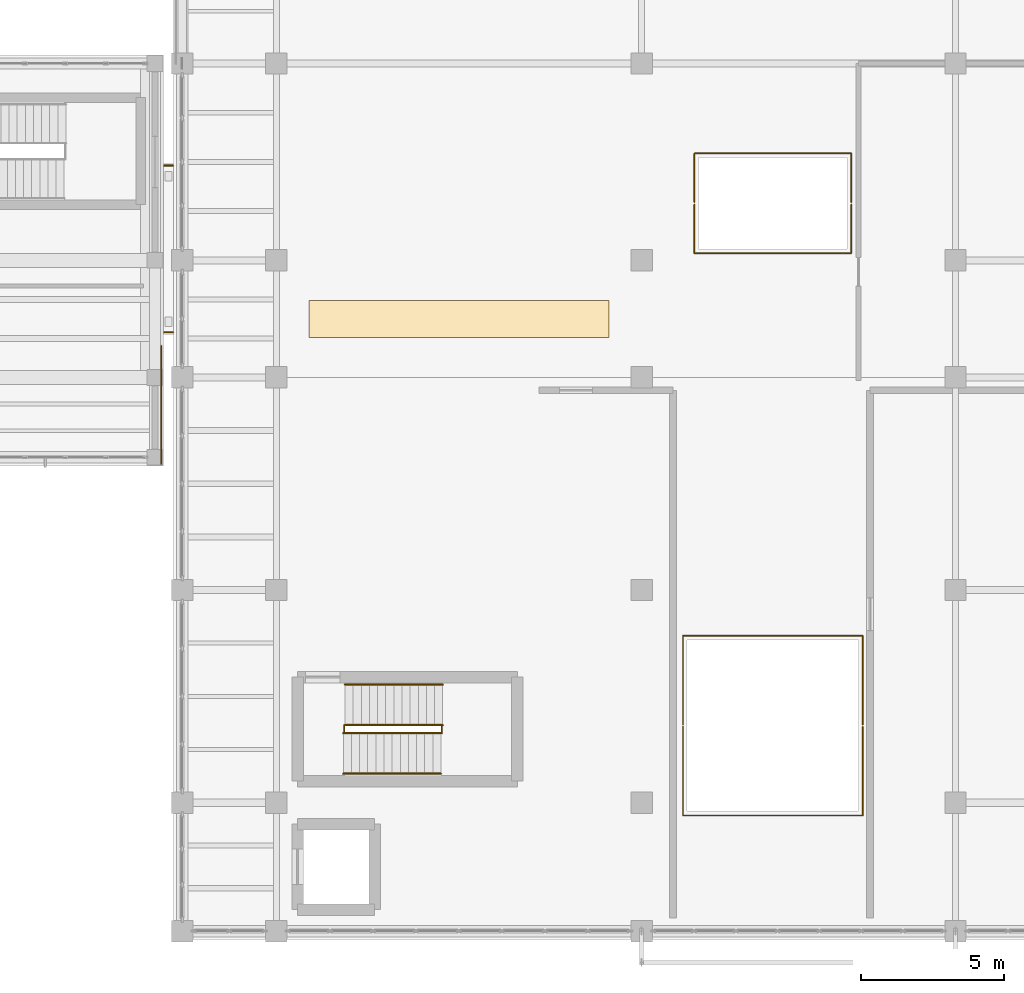
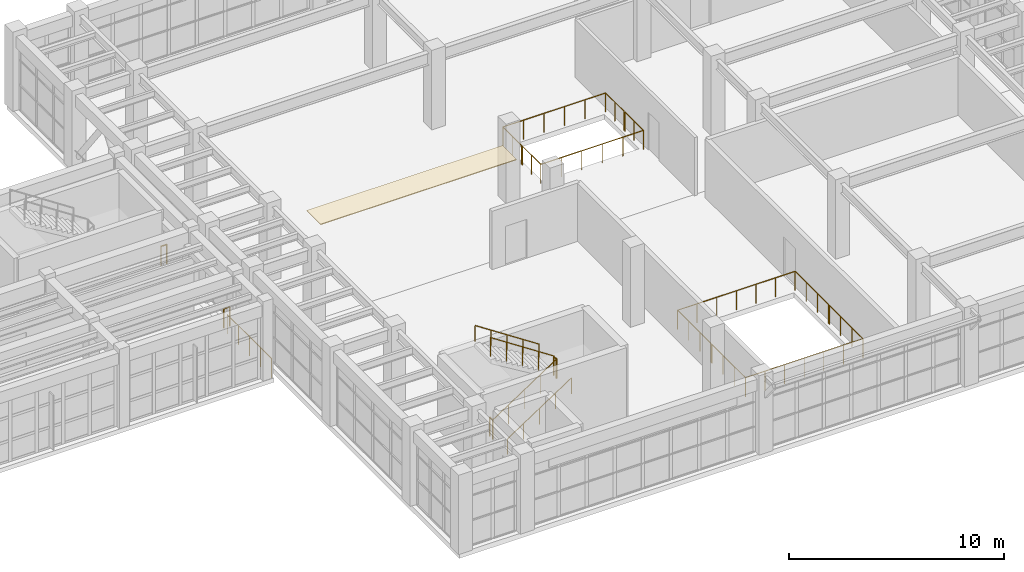
# One storey, part 80 of 85: 13 railings, 1 covering.
"""IFC4 building model written with IfcOpenShell, lengths in metres."""

from ifc_helpers import new_model, si_unit, direction, frame, origin, origin_2d, place, context, subcontext, project, spatial, rectangle, circle, extrude, material, layer, layer_set, type_object, element, save


model = new_model("IFC4")

# Units and contexts
model_context = context("Model", 3, precision=1e-05, world=origin(), true_north=direction((0.0, 1.0)))
body_context = subcontext(model_context, "Body", "Model", "MODEL_VIEW")
ifc_project = project(units=[si_unit("LENGTHUNIT", "METRE"), si_unit("AREAUNIT", "SQUARE_METRE"), si_unit("VOLUMEUNIT", "CUBIC_METRE"), si_unit("PLANEANGLEUNIT", "RADIAN"), si_unit("MASSUNIT", "GRAM", prefix="KILO")], contexts=[model_context])

# Site, building, storey
site_placement = place(None, origin())
site = spatial("IfcSite", under=ifc_project, at=site_placement, CompositionType="ELEMENT")
building_placement = place(site_placement, origin())
building = spatial("IfcBuilding", under=site, at=building_placement, Name="Candilejo Ridge Gondola Terminal", CompositionType="ELEMENT")
storey_placement = place(building_placement, frame((0.0, 0.0, 4.5)))
storey = spatial("IfcBuildingStorey", under=building, at=storey_placement, Name="L01", CompositionType="ELEMENT", Elevation=4.5)

# Covering
ifc_material_1 = material(Name="Perforated acoustic aluminium linear plank ceiling", Category="aluminium")
ifc_layer = layer(ifc_material_1, 0.044921875)
ifc_layer_set = layer_set([ifc_layer], Name="ARC-COV-CEILING-AC")
covering_type = type_object("IfcCoveringType", Name="ARC-COV-CEILING-AC", PredefinedType="CEILING", material=ifc_layer_set)
covering_placement = place(storey_placement, frame((143.60009765625, 27.75, 4.155517578125), z_axis=(0.0, 0.0, 1.0), x_axis=(1.0, 0.0, 0.0)))
element("IfcCovering", 1, at=covering_placement, inside=storey, type_object=covering_type, Name="Acoustic ceiling CL-V4-L01-A", PredefinedType="CEILING", context=body_context, shape_type="SweptSolid", body=[
    extrude(rectangle(XDim=10.5, YDim=1.300048828125, at=origin_2d()), origin(), (0.0, 0.0, 1.0), 0.044921875),
])

# Railings
ifc_material_2 = material(Name="Hot-dip galvanised steel ASTM A500 Grade B", Category="steel")
railing_type_1 = type_object("IfcRailingType", Name="ARC-GUARD-BALUSTRADE-1150", PredefinedType="BALUSTRADE", material=ifc_material_2)
railing_1_placement = place(storey_placement, frame((151.449951171875, 13.4599609375, 0.0)))
element("IfcRailing", 2, at=railing_1_placement, inside=storey, type_object=railing_type_1, Name="Well balustrade GR-V4-L01-PIT1-S", PredefinedType="BALUSTRADE", context=body_context, shape_type="SweptSolid", body=[
    extrude(circle(Radius=0.02392578125, at=origin_2d()), frame((0.0, 0.0, 1.076171875), z_axis=(0.0, -1.0, 0.0), x_axis=(1.0, 0.0, 0.0)), (0.0, 0.0, 1.0), 3.10986328125),
    extrude(circle(Radius=0.02392578125, at=origin_2d()), frame((0.0, -3.10986328125, 1.076171875), z_axis=(1.0, 0.0, 0.0), x_axis=(0.0, 1.0, 0.0)), (0.0, 0.0, 1.0), 6.300048828125),
    extrude(circle(Radius=0.02392578125, at=origin_2d()), frame((6.300048828125, -3.10986328125, 1.076171875), z_axis=(0.0, 1.0, 0.0), x_axis=(-1.0, 0.0, 0.0)), (0.0, 0.0, 1.0), 3.10986328125),
    extrude(circle(Radius=0.02099609375, at=origin_2d()), origin(), (0.0, 0.0, 1.0), 1.052001953125),
    extrude(circle(Radius=0.02099609375, at=origin_2d()), frame((0.0, -1.03662109375, 0.0)), (0.0, 0.0, 1.0), 1.052001953125),
    extrude(circle(Radius=0.02099609375, at=origin_2d()), frame((0.0, -2.0732421875, 0.0)), (0.0, 0.0, 1.0), 1.052001953125),
    extrude(circle(Radius=0.02099609375, at=origin_2d()), frame((0.0, -3.10986328125, 0.0)), (0.0, 0.0, 1.0), 1.052001953125),
    extrude(circle(Radius=0.02099609375, at=origin_2d()), frame((1.050048828125, -3.10986328125, 0.0)), (0.0, 0.0, 1.0), 1.052001953125),
    extrude(circle(Radius=0.02099609375, at=origin_2d()), frame((2.10009765625, -3.10986328125, 0.0)), (0.0, 0.0, 1.0), 1.052001953125),
    extrude(circle(Radius=0.02099609375, at=origin_2d()), frame((3.14990234375, -3.10986328125, 0.0)), (0.0, 0.0, 1.0), 1.052001953125),
    extrude(circle(Radius=0.02099609375, at=origin_2d()), frame((4.199951171875, -3.10986328125, 0.0)), (0.0, 0.0, 1.0), 1.052001953125),
    extrude(circle(Radius=0.02099609375, at=origin_2d()), frame((5.25, -3.10986328125, 0.0)), (0.0, 0.0, 1.0), 1.052001953125),
    extrude(circle(Radius=0.02099609375, at=origin_2d()), frame((6.300048828125, -3.10986328125, 0.0)), (0.0, 0.0, 1.0), 1.052001953125),
    extrude(circle(Radius=0.02099609375, at=origin_2d()), frame((6.300048828125, -2.0732421875, 0.0)), (0.0, 0.0, 1.0), 1.052001953125),
    extrude(circle(Radius=0.02099609375, at=origin_2d()), frame((6.300048828125, -1.03662109375, 0.0)), (0.0, 0.0, 1.0), 1.052001953125),
    extrude(circle(Radius=0.02099609375, at=origin_2d()), frame((6.300048828125, 0.0, 0.0)), (0.0, 0.0, 1.0), 1.052001953125),
])
railing_2_placement = place(storey_placement, frame((151.449951171875, 13.5400390625, 0.0)))
element("IfcRailing", 3, at=railing_2_placement, inside=storey, type_object=railing_type_1, Name="Well balustrade GR-V4-L01-PIT1-N", PredefinedType="BALUSTRADE", context=body_context, shape_type="SweptSolid", body=[
    extrude(circle(Radius=0.02392578125, at=origin_2d()), frame((0.0, 0.0, 1.076171875), z_axis=(0.0, 1.0, 0.0), x_axis=(-1.0, 0.0, 0.0)), (0.0, 0.0, 1.0), 3.10986328125),
    extrude(circle(Radius=0.02392578125, at=origin_2d()), frame((0.0, 3.10986328125, 1.076171875), z_axis=(1.0, 0.0, 0.0), x_axis=(0.0, 1.0, 0.0)), (0.0, 0.0, 1.0), 6.300048828125),
    extrude(circle(Radius=0.02392578125, at=origin_2d()), frame((6.300048828125, 3.10986328125, 1.076171875), z_axis=(0.0, -1.0, 0.0), x_axis=(1.0, 0.0, 0.0)), (0.0, 0.0, 1.0), 3.10986328125),
    extrude(circle(Radius=0.02099609375, at=origin_2d()), origin(), (0.0, 0.0, 1.0), 1.052001953125),
    extrude(circle(Radius=0.02099609375, at=origin_2d()), frame((0.0, 1.03662109375, 0.0)), (0.0, 0.0, 1.0), 1.052001953125),
    extrude(circle(Radius=0.02099609375, at=origin_2d()), frame((0.0, 2.0732421875, 0.0)), (0.0, 0.0, 1.0), 1.052001953125),
    extrude(circle(Radius=0.02099609375, at=origin_2d()), frame((0.0, 3.10986328125, 0.0)), (0.0, 0.0, 1.0), 1.052001953125),
    extrude(circle(Radius=0.02099609375, at=origin_2d()), frame((1.050048828125, 3.10986328125, 0.0)), (0.0, 0.0, 1.0), 1.052001953125),
    extrude(circle(Radius=0.02099609375, at=origin_2d()), frame((2.10009765625, 3.10986328125, 0.0)), (0.0, 0.0, 1.0), 1.052001953125),
    extrude(circle(Radius=0.02099609375, at=origin_2d()), frame((3.14990234375, 3.10986328125, 0.0)), (0.0, 0.0, 1.0), 1.052001953125),
    extrude(circle(Radius=0.02099609375, at=origin_2d()), frame((4.199951171875, 3.10986328125, 0.0)), (0.0, 0.0, 1.0), 1.052001953125),
    extrude(circle(Radius=0.02099609375, at=origin_2d()), frame((5.25, 3.10986328125, 0.0)), (0.0, 0.0, 1.0), 1.052001953125),
    extrude(circle(Radius=0.02099609375, at=origin_2d()), frame((6.300048828125, 3.10986328125, 0.0)), (0.0, 0.0, 1.0), 1.052001953125),
    extrude(circle(Radius=0.02099609375, at=origin_2d()), frame((6.300048828125, 2.0732421875, 0.0)), (0.0, 0.0, 1.0), 1.052001953125),
    extrude(circle(Radius=0.02099609375, at=origin_2d()), frame((6.300048828125, 1.03662109375, 0.0)), (0.0, 0.0, 1.0), 1.052001953125),
    extrude(circle(Radius=0.02099609375, at=origin_2d()), frame((6.300048828125, 0.0, 0.0)), (0.0, 0.0, 1.0), 1.052001953125),
])
railing_3_placement = place(storey_placement, frame((151.85009765625, 31.760009765625, 0.0)))
element("IfcRailing", 4, at=railing_3_placement, inside=storey, type_object=railing_type_1, Name="Well balustrade GR-V4-L01-PIT2-S", PredefinedType="BALUSTRADE", context=body_context, shape_type="SweptSolid", body=[
    extrude(circle(Radius=0.02392578125, at=origin_2d()), frame((0.0, 0.0, 1.076171875), z_axis=(0.0, -1.0, 0.0), x_axis=(1.0, 0.0, 0.0)), (0.0, 0.0, 1.0), 1.7099609375),
    extrude(circle(Radius=0.02392578125, at=origin_2d()), frame((0.0, -1.7099609375, 1.076171875), z_axis=(1.0, 0.0, 0.0), x_axis=(0.0, 1.0, 0.0)), (0.0, 0.0, 1.0), 5.5),
    extrude(circle(Radius=0.02392578125, at=origin_2d()), frame((5.5, -1.7099609375, 1.076171875), z_axis=(0.0, 1.0, 0.0), x_axis=(-1.0, 0.0, 0.0)), (0.0, 0.0, 1.0), 1.7099609375),
    extrude(circle(Radius=0.02099609375, at=origin_2d()), origin(), (0.0, 0.0, 1.0), 1.052001953125),
    extrude(circle(Radius=0.02099609375, at=origin_2d()), frame((0.0, -0.85498046875, 0.0)), (0.0, 0.0, 1.0), 1.052001953125),
    extrude(circle(Radius=0.02099609375, at=origin_2d()), frame((0.0, -1.7099609375, 0.0)), (0.0, 0.0, 1.0), 1.052001953125),
    extrude(circle(Radius=0.02099609375, at=origin_2d()), frame((1.10009765625, -1.7099609375, 0.0)), (0.0, 0.0, 1.0), 1.052001953125),
    extrude(circle(Radius=0.02099609375, at=origin_2d()), frame((2.199951171875, -1.7099609375, 0.0)), (0.0, 0.0, 1.0), 1.052001953125),
    extrude(circle(Radius=0.02099609375, at=origin_2d()), frame((3.300048828125, -1.7099609375, 0.0)), (0.0, 0.0, 1.0), 1.052001953125),
    extrude(circle(Radius=0.02099609375, at=origin_2d()), frame((4.39990234375, -1.7099609375, 0.0)), (0.0, 0.0, 1.0), 1.052001953125),
    extrude(circle(Radius=0.02099609375, at=origin_2d()), frame((5.5, -1.7099609375, 0.0)), (0.0, 0.0, 1.0), 1.052001953125),
    extrude(circle(Radius=0.02099609375, at=origin_2d()), frame((5.5, -0.85498046875, 0.0)), (0.0, 0.0, 1.0), 1.052001953125),
    extrude(circle(Radius=0.02099609375, at=origin_2d()), frame((5.5, 0.0, 0.0)), (0.0, 0.0, 1.0), 1.052001953125),
])
railing_4_placement = place(storey_placement, frame((151.85009765625, 31.840087890625, 0.0)))
element("IfcRailing", 5, at=railing_4_placement, inside=storey, type_object=railing_type_1, Name="Well balustrade GR-V4-L01-PIT2-N", PredefinedType="BALUSTRADE", context=body_context, shape_type="SweptSolid", body=[
    extrude(circle(Radius=0.02392578125, at=origin_2d()), frame((0.0, 0.0, 1.076171875), z_axis=(0.0, 1.0, 0.0), x_axis=(-1.0, 0.0, 0.0)), (0.0, 0.0, 1.0), 1.7099609375),
    extrude(circle(Radius=0.02392578125, at=origin_2d()), frame((0.0, 1.7099609375, 1.076171875), z_axis=(1.0, 0.0, 0.0), x_axis=(0.0, 1.0, 0.0)), (0.0, 0.0, 1.0), 5.5),
    extrude(circle(Radius=0.02392578125, at=origin_2d()), frame((5.5, 1.7099609375, 1.076171875), z_axis=(0.0, -1.0, 0.0), x_axis=(1.0, 0.0, 0.0)), (0.0, 0.0, 1.0), 1.7099609375),
    extrude(circle(Radius=0.02099609375, at=origin_2d()), origin(), (0.0, 0.0, 1.0), 1.052001953125),
    extrude(circle(Radius=0.02099609375, at=origin_2d()), frame((0.0, 0.85498046875, 0.0)), (0.0, 0.0, 1.0), 1.052001953125),
    extrude(circle(Radius=0.02099609375, at=origin_2d()), frame((0.0, 1.7099609375, 0.0)), (0.0, 0.0, 1.0), 1.052001953125),
    extrude(circle(Radius=0.02099609375, at=origin_2d()), frame((1.10009765625, 1.7099609375, 0.0)), (0.0, 0.0, 1.0), 1.052001953125),
    extrude(circle(Radius=0.02099609375, at=origin_2d()), frame((2.199951171875, 1.7099609375, 0.0)), (0.0, 0.0, 1.0), 1.052001953125),
    extrude(circle(Radius=0.02099609375, at=origin_2d()), frame((3.300048828125, 1.7099609375, 0.0)), (0.0, 0.0, 1.0), 1.052001953125),
    extrude(circle(Radius=0.02099609375, at=origin_2d()), frame((4.39990234375, 1.7099609375, 0.0)), (0.0, 0.0, 1.0), 1.052001953125),
    extrude(circle(Radius=0.02099609375, at=origin_2d()), frame((5.5, 1.7099609375, 0.0)), (0.0, 0.0, 1.0), 1.052001953125),
    extrude(circle(Radius=0.02099609375, at=origin_2d()), frame((5.5, 0.85498046875, 0.0)), (0.0, 0.0, 1.0), 1.052001953125),
    extrude(circle(Radius=0.02099609375, at=origin_2d()), frame((5.5, 0.0, 0.0)), (0.0, 0.0, 1.0), 1.052001953125),
])
ifc_material_3 = material(Name="Hot-dip galvanised steel ASTM A500 Grade B", Category="steel")
railing_type_2 = type_object("IfcRailingType", Name="ARC-GUARD-GLASS-1150", PredefinedType="GUARDRAIL", material=ifc_material_3)
for number, where, name in (
    (6, (133.27001953125, 27.280029296875, 0.0), "Link bridge guard LB-SJ3-L01-S"),
    (7, (133.27001953125, 33.1201171875, 0.0), "Link bridge guard LB-SJ3-L01-N"),
):
    element("IfcRailing", number, at=place(storey_placement, frame(where)), inside=storey, type_object=railing_type_2, Name=name, PredefinedType="GUARDRAIL", context=body_context, shape_type="SweptSolid", body=[
        extrude(circle(Radius=0.02392578125, at=origin_2d()), frame((0.0, 0.0, 1.076171875), z_axis=(1.0, 0.0, 0.0), x_axis=(0.0, 1.0, 0.0)), (0.0, 0.0, 1.0), 0.31005859375),
        extrude(circle(Radius=0.02099609375, at=origin_2d()), origin(), (0.0, 0.0, 1.0), 1.052001953125),
        extrude(circle(Radius=0.02099609375, at=origin_2d()), frame((0.31005859375, 0.0, 0.0)), (0.0, 0.0, 1.0), 1.052001953125),
    ])
railing_5_placement = place(storey_placement, frame((133.169921875, 22.679931640625, 0.0)))
element("IfcRailing", 8, at=railing_5_placement, inside=storey, type_object=railing_type_2, Name="Deck edge guard GR-V3-L01-E1", PredefinedType="GUARDRAIL", context=body_context, shape_type="SweptSolid", body=[
    extrude(circle(Radius=0.02392578125, at=origin_2d()), frame((0.0, 0.0, 1.076171875), z_axis=(0.0, 1.0, 0.0), x_axis=(-1.0, 0.0, 0.0)), (0.0, 0.0, 1.0), 4.1201171875),
    extrude(circle(Radius=0.02099609375, at=origin_2d()), origin(), (0.0, 0.0, 1.0), 1.052001953125),
    extrude(circle(Radius=0.02099609375, at=origin_2d()), frame((0.0, 1.030029296875, 0.0)), (0.0, 0.0, 1.0), 1.052001953125),
    extrude(circle(Radius=0.02099609375, at=origin_2d()), frame((0.0, 2.06005859375, 0.0)), (0.0, 0.0, 1.0), 1.052001953125),
    extrude(circle(Radius=0.02099609375, at=origin_2d()), frame((0.0, 3.090087890625, 0.0)), (0.0, 0.0, 1.0), 1.052001953125),
    extrude(circle(Radius=0.02099609375, at=origin_2d()), frame((0.0, 4.1201171875, 0.0)), (0.0, 0.0, 1.0), 1.052001953125),
])
ifc_material_4 = material(Name="Hot-dip galvanised steel ASTM A500 Grade B", Category="steel")
railing_type_3 = type_object("IfcRailingType", Name="ARC-STAIR-GUARD-1100", PredefinedType="GUARDRAIL", material=ifc_material_4)
railing_6_placement = place(storey_placement, frame((139.580078125, 13.235107421875, 0.0)))
element("IfcRailing", 9, at=railing_6_placement, inside=storey, type_object=railing_type_3, Name="Arrival well guard ST-V4A-L00-ARR-L01", PredefinedType="GUARDRAIL", context=body_context, shape_type="SweptSolid", body=[
    extrude(circle(Radius=0.02392578125, at=origin_2d()), frame((0.0, 0.0, 1.076171875), z_axis=(0.0, 1.0, 0.0), x_axis=(-1.0, 0.0, 0.0)), (0.0, 0.0, 1.0), 0.27978515625),
    extrude(circle(Radius=0.02099609375, at=origin_2d()), origin(), (0.0, 0.0, 1.0), 1.052001953125),
    extrude(circle(Radius=0.02099609375, at=origin_2d()), frame((0.0, 0.27978515625, 0.0)), (0.0, 0.0, 1.0), 1.052001953125),
])
railing_7_placement = place(storey_placement, frame((139.550048828125, 13.235107421875, 0.0)))
element("IfcRailing", 10, at=railing_7_placement, inside=storey, type_object=railing_type_3, Name="Flight well guard ST-V4A-F03", PredefinedType="GUARDRAIL", context=body_context, shape_type="SweptSolid", body=[
    extrude(circle(Radius=0.02392578125, at=origin_2d()), frame((0.0, 0.0, 1.076171875), z_axis=(0.835411317272, 0.0, 0.549625264133), x_axis=(0.0, 1.0, 0.0)), (0.0, 0.0, 1.0), 4.09375),
    extrude(circle(Radius=0.02099609375, at=origin_2d()), origin(), (0.0, 0.0, 1.0), 1.052001953125),
    extrude(circle(Radius=0.02099609375, at=origin_2d()), frame((0.85498046875, 0.0, 0.5625)), (0.0, 0.0, 1.0), 1.052001953125),
    extrude(circle(Radius=0.02099609375, at=origin_2d()), frame((1.7099609375, 0.0, 1.125)), (0.0, 0.0, 1.0), 1.052001953125),
    extrude(circle(Radius=0.02099609375, at=origin_2d()), frame((2.56494140625, 0.0, 1.6875)), (0.0, 0.0, 1.0), 1.052001953125),
    extrude(circle(Radius=0.02099609375, at=origin_2d()), frame((3.419921875, 0.0, 2.25)), (0.0, 0.0, 1.0), 1.052001953125),
])
railing_8_placement = place(storey_placement, frame((143.0, 13.235107421875, 2.25)))
element("IfcRailing", 11, at=railing_8_placement, inside=storey, type_object=railing_type_3, Name="Half-landing slot guard ST-V4A-LND-02", PredefinedType="GUARDRAIL", context=body_context, shape_type="SweptSolid", body=[
    extrude(circle(Radius=0.02392578125, at=origin_2d()), frame((0.0, 0.0, 1.076171875), z_axis=(0.0, 1.0, 0.0), x_axis=(-1.0, 0.0, 0.0)), (0.0, 0.0, 1.0), 0.27978515625),
    extrude(circle(Radius=0.02099609375, at=origin_2d()), origin(), (0.0, 0.0, 1.0), 1.052001953125),
    extrude(circle(Radius=0.02099609375, at=origin_2d()), frame((0.0, 0.27978515625, 0.0)), (0.0, 0.0, 1.0), 1.052001953125),
])
railing_9_placement = place(storey_placement, frame((143.030029296875, 13.514892578125, 2.25)))
element("IfcRailing", 12, at=railing_9_placement, inside=storey, type_object=railing_type_3, Name="Flight well guard ST-V4A-F04", PredefinedType="GUARDRAIL", context=body_context, shape_type="SweptSolid", body=[
    extrude(circle(Radius=0.02392578125, at=origin_2d()), frame((0.0, 0.0, 1.076171875), z_axis=(-0.835411317272, 0.0, 0.549625264133), x_axis=(0.0, -1.0, 0.0)), (0.0, 0.0, 1.0), 4.09375),
    extrude(circle(Radius=0.02099609375, at=origin_2d()), origin(), (0.0, 0.0, 1.0), 1.052001953125),
    extrude(circle(Radius=0.02099609375, at=origin_2d()), frame((-0.85498046875, 0.0, 0.5625)), (0.0, 0.0, 1.0), 1.052001953125),
    extrude(circle(Radius=0.02099609375, at=origin_2d()), frame((-1.7099609375, 0.0, 1.125)), (0.0, 0.0, 1.0), 1.052001953125),
    extrude(circle(Radius=0.02099609375, at=origin_2d()), frame((-2.56494140625, 0.0, 1.6875)), (0.0, 0.0, 1.0), 1.052001953125),
    extrude(circle(Radius=0.02099609375, at=origin_2d()), frame((-3.419921875, 0.0, 2.25)), (0.0, 0.0, 1.0), 1.052001953125),
])
ifc_material_5 = material(Name="Brushed stainless steel AISI 316", Category="steel")
railing_type_4 = type_object("IfcRailingType", Name="ARC-STAIR-HANDRAIL-920", PredefinedType="HANDRAIL", material=ifc_material_5)
railing_10_placement = place(storey_placement, frame((139.550048828125, 11.81494140625, 0.0)))
element("IfcRailing", 13, at=railing_10_placement, inside=storey, type_object=railing_type_4, Name="Wall handrail ST-V4A-F03", PredefinedType="HANDRAIL", context=body_context, shape_type="SweptSolid", body=[
    extrude(circle(Radius=0.02392578125, at=origin_2d()), frame((0.0, 0.0, 0.89599609375), z_axis=(0.835411317272, 0.0, 0.549625264133), x_axis=(0.0, 1.0, 0.0)), (0.0, 0.0, 1.0), 4.09375),
    extrude(circle(Radius=0.02099609375, at=origin_2d()), origin(), (0.0, 0.0, 1.0), 0.871826171875),
    extrude(circle(Radius=0.02099609375, at=origin_2d()), frame((0.85498046875, 0.0, 0.5625)), (0.0, 0.0, 1.0), 0.871826171875),
    extrude(circle(Radius=0.02099609375, at=origin_2d()), frame((1.7099609375, 0.0, 1.125)), (0.0, 0.0, 1.0), 0.871826171875),
    extrude(circle(Radius=0.02099609375, at=origin_2d()), frame((2.56494140625, 0.0, 1.6875)), (0.0, 0.0, 1.0), 0.871826171875),
    extrude(circle(Radius=0.02099609375, at=origin_2d()), frame((3.419921875, 0.0, 2.25)), (0.0, 0.0, 1.0), 0.871826171875),
])
railing_11_placement = place(storey_placement, frame((143.030029296875, 14.93505859375, 2.25)))
element("IfcRailing", 14, at=railing_11_placement, inside=storey, type_object=railing_type_4, Name="Wall handrail ST-V4A-F04", PredefinedType="HANDRAIL", context=body_context, shape_type="SweptSolid", body=[
    extrude(circle(Radius=0.02392578125, at=origin_2d()), frame((0.0, 0.0, 0.89599609375), z_axis=(-0.835411317272, 0.0, 0.549625264133), x_axis=(0.0, -1.0, 0.0)), (0.0, 0.0, 1.0), 4.09375),
    extrude(circle(Radius=0.02099609375, at=origin_2d()), origin(), (0.0, 0.0, 1.0), 0.871826171875),
    extrude(circle(Radius=0.02099609375, at=origin_2d()), frame((-0.85498046875, 0.0, 0.5625)), (0.0, 0.0, 1.0), 0.871826171875),
    extrude(circle(Radius=0.02099609375, at=origin_2d()), frame((-1.7099609375, 0.0, 1.125)), (0.0, 0.0, 1.0), 0.871826171875),
    extrude(circle(Radius=0.02099609375, at=origin_2d()), frame((-2.56494140625, 0.0, 1.6875)), (0.0, 0.0, 1.0), 0.871826171875),
    extrude(circle(Radius=0.02099609375, at=origin_2d()), frame((-3.419921875, 0.0, 2.25)), (0.0, 0.0, 1.0), 0.871826171875),
])

save(model, "model.ifc")
